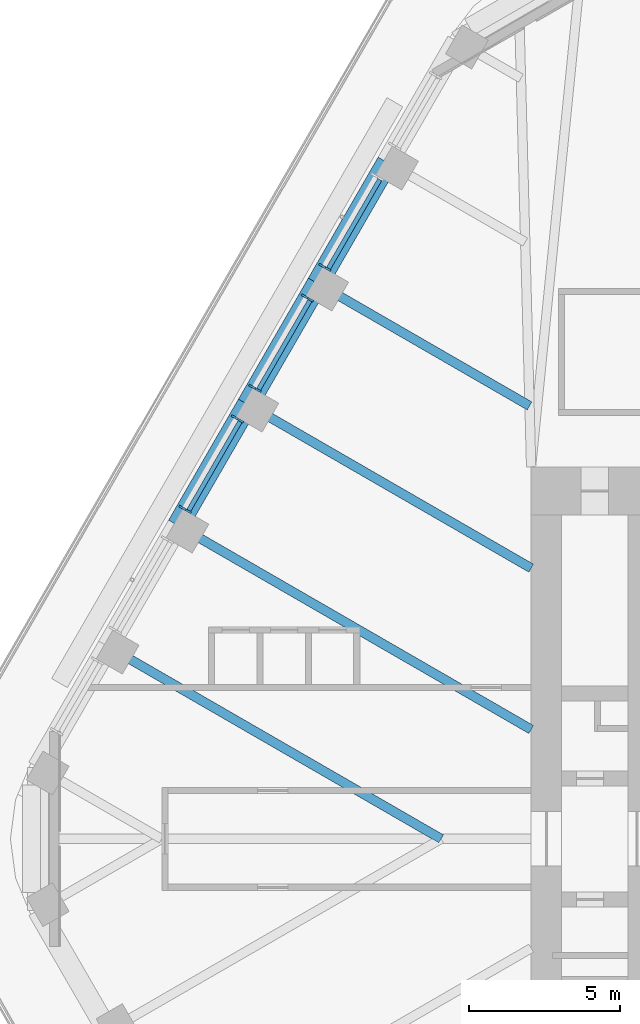
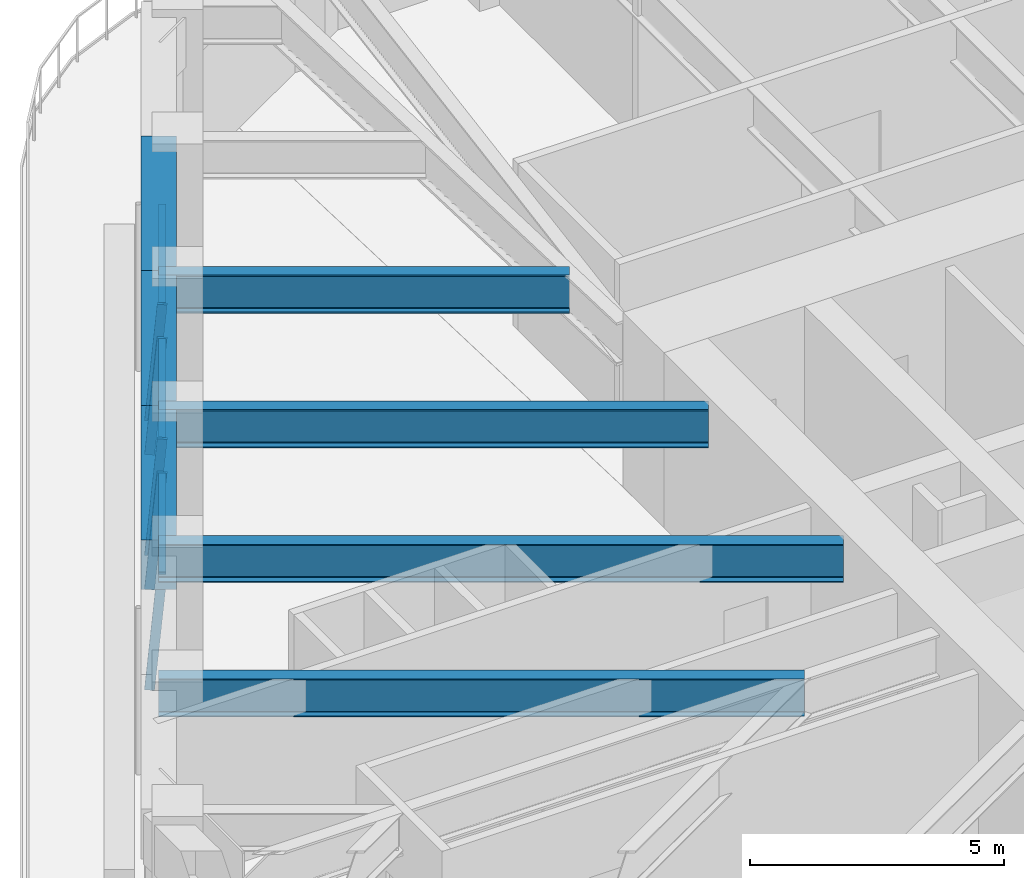
# One storey, part 7 of 20: 8 members, 7 beams, 3 elements without a shape of their own.
"""IFC4 building model written with IfcOpenShell, lengths in metres."""

from ifc_helpers import new_model, si_unit, direction, frame, origin, origin_2d, place, context, subcontext, project, spatial, rectangle, i_section, extrude, material, material_profile, profile_set, type_object, element, aggregate, save


model = new_model("IFC4")

# Units and contexts
model_context = context("Model", 3, precision=1e-05, world=origin(), true_north=direction((0.0, 1.0)))
body_context = subcontext(model_context, "Body", "Model", "MODEL_VIEW")
ifc_project = project(units=[si_unit("LENGTHUNIT", "METRE"), si_unit("AREAUNIT", "SQUARE_METRE"), si_unit("VOLUMEUNIT", "CUBIC_METRE"), si_unit("PLANEANGLEUNIT", "RADIAN"), si_unit("MASSUNIT", "GRAM", prefix="KILO")], contexts=[model_context])

# Site, building, storey
site_placement = place(None, origin())
site = spatial("IfcSite", under=ifc_project, at=site_placement, CompositionType="ELEMENT")
building_placement = place(site_placement, origin())
building = spatial("IfcBuilding", under=site, at=building_placement, Name="Tarfa Lantern Tower", CompositionType="ELEMENT")
storey_placement = place(building_placement, frame((0.0, 0.0, 278.5)))
storey = spatial("IfcBuildingStorey", under=building, at=storey_placement, Name="L63", CompositionType="ELEMENT", Elevation=278.5)

# Curtain wall, member
ifc_material_1 = material(Name="Aluminium framed curtain wall", Category="aluminium")
curtain_wall_type = type_object("IfcCurtainWallType", Name="CW3 CANTED GLAZING HIGH ZONE 2800", PredefinedType="USERDEFINED", material=ifc_material_1)
curtain_wall_1_placement = place(storey_placement, origin())
curtain_wall_1 = element("IfcCurtainWall", 1, at=curtain_wall_1_placement, inside=storey, type_object=curtain_wall_type, Name="CW3 NW L63", ObjectType="CURTAIN WALL", PredefinedType="USERDEFINED")
ifc_material_2 = material(Name="Aluminium mullion", Category="aluminium")
ifc_material_profile_1 = material_profile(ifc_material_2, rectangle(XDim=0.06494140625, YDim=0.199951171875, at=origin_2d()), Name="AL MULLION 65x200")
ifc_profile_set_1 = profile_set([ifc_material_profile_1], Name="Aluminium mullion")
member_type_1 = type_object("IfcMemberType", Name="CWM1 MULLION 65x200", PredefinedType="MULLION", material=ifc_profile_set_1)
member_1_placement = place(storey_placement, frame((-22.427490234375, 18.954345703125, 0.0), z_axis=(0.077032386753, -0.044465143199, 0.996036576854), x_axis=(0.499919672301, 0.866071776036, 0.0)))
member_1 = element("IfcMember", 2, at=member_1_placement, type_object=member_type_1, Name="CW3 mullion 2", PredefinedType="MULLION", context=body_context, shape_type="SweptSolid", body=[
    extrude(rectangle(XDim=0.06494140625, YDim=0.199951171875, at=origin_2d()), origin(), (0.0, 0.0, 1.0), 2.811279296875),
])

# Curtain wall, members
curtain_wall_2_placement = place(storey_placement, origin())
curtain_wall_2 = element("IfcCurtainWall", 3, at=curtain_wall_2_placement, inside=storey, type_object=curtain_wall_type, Name="CW3 NW L63", ObjectType="CURTAIN WALL", PredefinedType="USERDEFINED")
member_2_placement = place(storey_placement, frame((-23.010009765625, 17.945556640625, 0.0), z_axis=(0.077032386753, -0.044465143199, 0.996036576854), x_axis=(0.499919672301, 0.866071776036, 0.0)))
member_2 = element("IfcMember", 4, at=member_2_placement, type_object=member_type_1, Name="CW3 mullion 1", PredefinedType="MULLION", context=body_context, shape_type="SweptSolid", body=[
    extrude(rectangle(XDim=0.06494140625, YDim=0.199951171875, at=origin_2d()), origin(), (0.0, 0.0, 1.0), 2.811279296875),
])
member_3_placement = place(storey_placement, frame((-24.73681640625, 14.954345703125, 0.0), z_axis=(0.077032386753, -0.044465143199, 0.996036576854), x_axis=(0.499919672301, 0.866071776036, 0.0)))
member_3 = element("IfcMember", 5, at=member_3_placement, type_object=member_type_1, Name="CW3 mullion 2", PredefinedType="MULLION", context=body_context, shape_type="SweptSolid", body=[
    extrude(rectangle(XDim=0.06494140625, YDim=0.199951171875, at=origin_2d()), origin(), (0.0, 0.0, 1.0), 2.811279296875),
])

curtain_wall_3_placement = place(storey_placement, origin())
curtain_wall_3 = element("IfcCurtainWall", 6, at=curtain_wall_3_placement, inside=storey, type_object=curtain_wall_type, Name="CW3 NW L63", ObjectType="CURTAIN WALL", PredefinedType="USERDEFINED")
member_4_placement = place(storey_placement, frame((-25.3193359375, 13.945556640625, 0.0), z_axis=(0.077032386753, -0.044465143199, 0.996036576854), x_axis=(0.499919672301, 0.866071776036, 0.0)))
member_4 = element("IfcMember", 7, at=member_4_placement, type_object=member_type_1, Name="CW3 mullion 1", PredefinedType="MULLION", context=body_context, shape_type="SweptSolid", body=[
    extrude(rectangle(XDim=0.06494140625, YDim=0.199951171875, at=origin_2d()), origin(), (0.0, 0.0, 1.0), 2.811279296875),
])
member_5_placement = place(storey_placement, frame((-27.04638671875, 10.954345703125, 0.0), z_axis=(0.077032386753, -0.044465143199, 0.996036576854), x_axis=(0.499919672301, 0.866071776036, 0.0)))
member_5 = element("IfcMember", 8, at=member_5_placement, type_object=member_type_1, Name="CW3 mullion 2", PredefinedType="MULLION", context=body_context, shape_type="SweptSolid", body=[
    extrude(rectangle(XDim=0.06494140625, YDim=0.199951171875, at=origin_2d()), origin(), (0.0, 0.0, 1.0), 2.811279296875),
])

# Member
ifc_material_3 = material(Name="Aluminium transom", Category="aluminium")
ifc_material_profile_2 = material_profile(ifc_material_3, rectangle(XDim=0.14990234375, YDim=0.06494140625, at=origin_2d()), Name="AL TRANSOM 150x65")
ifc_profile_set_2 = profile_set([ifc_material_profile_2], Name="Aluminium transom")
member_type_2 = type_object("IfcMemberType", Name="CWT1 TRANSOM 150x65", PredefinedType="USERDEFINED", material=ifc_profile_set_2)
member_6_placement = place(storey_placement, frame((-20.5029296875, 21.7939453125, 2.767578125), z_axis=(-0.499982299553, -0.866035622901, 0.0), x_axis=(0.866035622901, -0.499982299553, 0.0)))
member_6 = element("IfcMember", 9, at=member_6_placement, type_object=member_type_2, Name="CW3 transom 1.2", ObjectType="TRANSOM", PredefinedType="USERDEFINED", context=body_context, shape_type="SweptSolid", body=[
    extrude(rectangle(XDim=0.14990234375, YDim=0.06494140625, at=origin_2d()), origin(), (0.0, 0.0, 1.0), 3.388671875),
])

aggregate(curtain_wall_1, [member_1, member_6])

member_7_placement = place(storey_placement, frame((-22.812255859375, 17.7939453125, 2.767578125), z_axis=(-0.499982299553, -0.866035622901, 0.0), x_axis=(0.866035622901, -0.499982299553, 0.0)))
member_7 = element("IfcMember", 10, at=member_7_placement, type_object=member_type_2, Name="CW3 transom 1.2", ObjectType="TRANSOM", PredefinedType="USERDEFINED", context=body_context, shape_type="SweptSolid", body=[
    extrude(rectangle(XDim=0.14990234375, YDim=0.06494140625, at=origin_2d()), origin(), (0.0, 0.0, 1.0), 3.388671875),
])

aggregate(curtain_wall_2, [member_2, member_3, member_7])

member_8_placement = place(storey_placement, frame((-25.12158203125, 13.7939453125, 2.767578125), z_axis=(-0.500036330578, -0.866004427299, 0.0), x_axis=(0.866004427299, -0.500036330578, 0.0)))
member_8 = element("IfcMember", 11, at=member_8_placement, type_object=member_type_2, Name="CW3 transom 1.2", ObjectType="TRANSOM", PredefinedType="USERDEFINED", context=body_context, shape_type="SweptSolid", body=[
    extrude(rectangle(XDim=0.14990234375, YDim=0.06494140625, at=origin_2d()), origin(), (0.0, 0.0, 1.0), 3.388916015625),
])

aggregate(curtain_wall_3, [member_4, member_5, member_8])

# Beams
ifc_material_4 = material(Name="Concrete C80/95", Category="concrete")
ifc_material_profile_3 = material_profile(ifc_material_4, rectangle(XDim=0.699951171875, YDim=1.199951171875, at=origin_2d()), Name="RC 700x1200")
ifc_profile_set_3 = profile_set([ifc_material_profile_3], Name="Concrete C80/95")
beam_type_1 = type_object("IfcBeamType", Name="EB3 RC 700x1200", PredefinedType="SPANDREL", material=ifc_profile_set_3)
beam_1_placement = place(storey_placement, frame((-20.25341796875, 22.360107421875, 3.39990234375), z_axis=(-0.499987836815, -0.866032426089, 0.0), x_axis=(0.866032426089, -0.499987836815, 0.0)))
element("IfcBeam", 12, at=beam_1_placement, inside=storey, type_object=beam_type_1, Name="Edge beam NW1", PredefinedType="SPANDREL", context=body_context, shape_type="SweptSolid", body=[
    extrude(rectangle(XDim=0.699951171875, YDim=1.199951171875, at=origin_2d()), origin(), (0.0, 0.0, 1.0), 4.61865234375),
])
beam_2_placement = place(storey_placement, frame((-22.562744140625, 18.360107421875, 3.39990234375), z_axis=(-0.500027479704, -0.866009537788, 0.0), x_axis=(0.866009537788, -0.500027479704, 0.0)))
element("IfcBeam", 13, at=beam_2_placement, inside=storey, type_object=beam_type_1, Name="Edge beam NW2", PredefinedType="SPANDREL", context=body_context, shape_type="SweptSolid", body=[
    extrude(rectangle(XDim=0.699951171875, YDim=1.199951171875, at=origin_2d()), origin(), (0.0, 0.0, 1.0), 4.618896484375),
])
beam_3_placement = place(storey_placement, frame((-24.872314453125, 14.360107421875, 3.39990234375), z_axis=(-0.499987836815, -0.866032426089, 0.0), x_axis=(0.866032426089, -0.499987836815, 0.0)))
element("IfcBeam", 14, at=beam_3_placement, inside=storey, type_object=beam_type_1, Name="Edge beam NW3", PredefinedType="SPANDREL", context=body_context, shape_type="SweptSolid", body=[
    extrude(rectangle(XDim=0.699951171875, YDim=1.199951171875, at=origin_2d()), origin(), (0.0, 0.0, 1.0), 4.61865234375),
])
ifc_material_5 = material(Name="Steel S460M", Category="steel")
ifc_material_profile_4 = material_profile(ifc_material_5, i_section(OverallWidth=0.305419921875, OverallDepth=0.91845703125, WebThickness=0.017333984375, FlangeThickness=0.02783203125, FilletRadius=0.01904296875, at=origin_2d()), Name="UB914x305x253")
ifc_profile_set_4 = profile_set([ifc_material_profile_4], Name="Steel S460M")
beam_type_2 = type_object("IfcBeamType", Name="UB914x305x253", PredefinedType="BEAM", material=ifc_profile_set_4)
beam_4_placement = place(storey_placement, frame((-22.562744140625, 18.360107421875, 3.540771484375), z_axis=(0.866010787764, -0.500025314835, 0.0), x_axis=(0.500025314835, 0.866010787764, 0.0)))
element("IfcBeam", 15, at=beam_4_placement, inside=storey, type_object=beam_type_2, Name="Floor beam NW2", PredefinedType="BEAM", context=body_context, shape_type="SweptSolid", body=[
    extrude(i_section(OverallWidth=0.305419921875, OverallDepth=0.91845703125, WebThickness=0.017333984375, FlangeThickness=0.02783203125, FilletRadius=0.01904296875, at=origin_2d()), origin(), (0.0, 0.0, 1.0), 8.09423828125),
])
beam_5_placement = place(storey_placement, frame((-24.872314453125, 14.360107421875, 3.540771484375), z_axis=(0.8660244219, -0.500001700669, 0.0), x_axis=(0.500001700669, 0.8660244219, 0.0)))
element("IfcBeam", 16, at=beam_5_placement, inside=storey, type_object=beam_type_2, Name="Floor beam NW3", PredefinedType="BEAM", context=body_context, shape_type="SweptSolid", body=[
    extrude(i_section(OverallWidth=0.305419921875, OverallDepth=0.91845703125, WebThickness=0.017333984375, FlangeThickness=0.02783203125, FilletRadius=0.01904296875, at=origin_2d()), origin(), (0.0, 0.0, 1.0), 10.822265625),
])
beam_6_placement = place(storey_placement, frame((-27.181640625, 10.360107421875, 3.540771484375), z_axis=(0.866018002818, -0.500012818631, 0.0), x_axis=(0.500012818631, 0.866018002818, 0.0)))
element("IfcBeam", 17, at=beam_6_placement, inside=storey, type_object=beam_type_2, Name="Floor beam NW4", PredefinedType="BEAM", context=body_context, shape_type="SweptSolid", body=[
    extrude(i_section(OverallWidth=0.305419921875, OverallDepth=0.91845703125, WebThickness=0.017333984375, FlangeThickness=0.02783203125, FilletRadius=0.01904296875, at=origin_2d()), origin(), (0.0, 0.0, 1.0), 13.489013671875),
])
beam_7_placement = place(storey_placement, frame((-29.490966796875, 6.360107421875, 3.540771484375), z_axis=(0.866022258038, -0.500005448553, 0.0), x_axis=(0.500005448553, 0.866022258038, 0.0)))
element("IfcBeam", 18, at=beam_7_placement, inside=storey, type_object=beam_type_2, Name="Floor beam NW5", PredefinedType="BEAM", context=body_context, shape_type="SweptSolid", body=[
    extrude(i_section(OverallWidth=0.305419921875, OverallDepth=0.91845703125, WebThickness=0.017333984375, FlangeThickness=0.02783203125, FilletRadius=0.01904296875, at=origin_2d()), origin(), (0.0, 0.0, 1.0), 12.719970703125),
])

save(model, "model.ifc")
